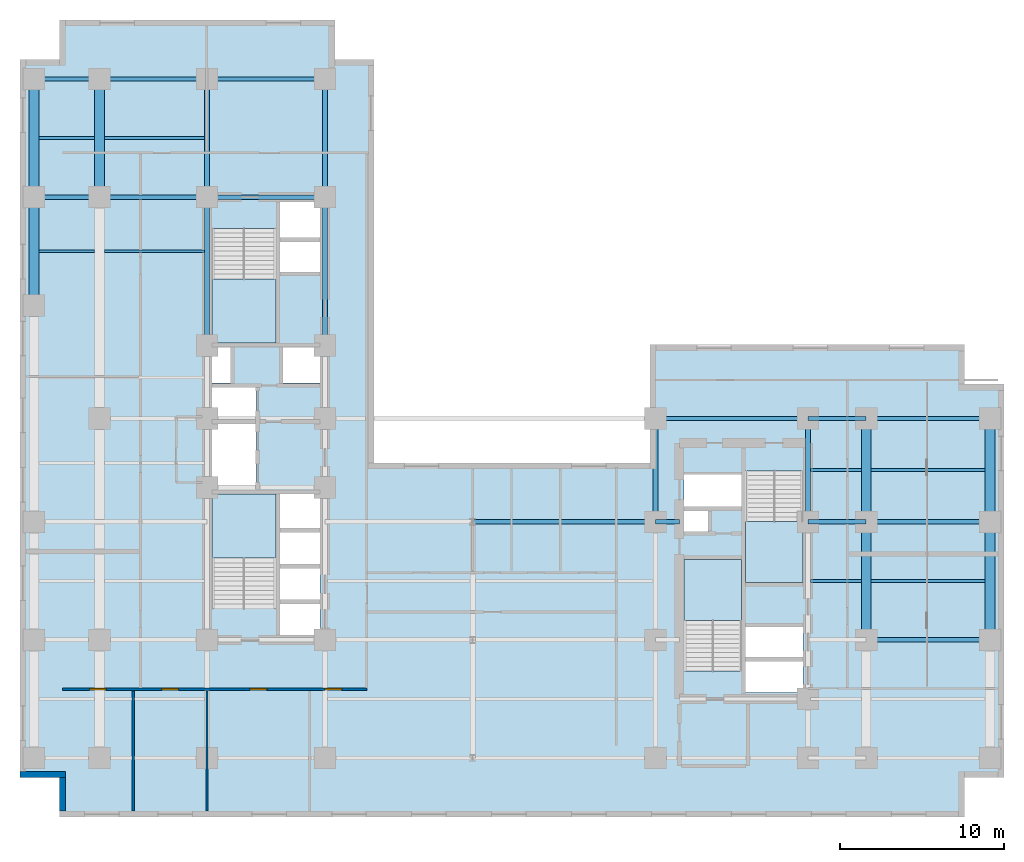
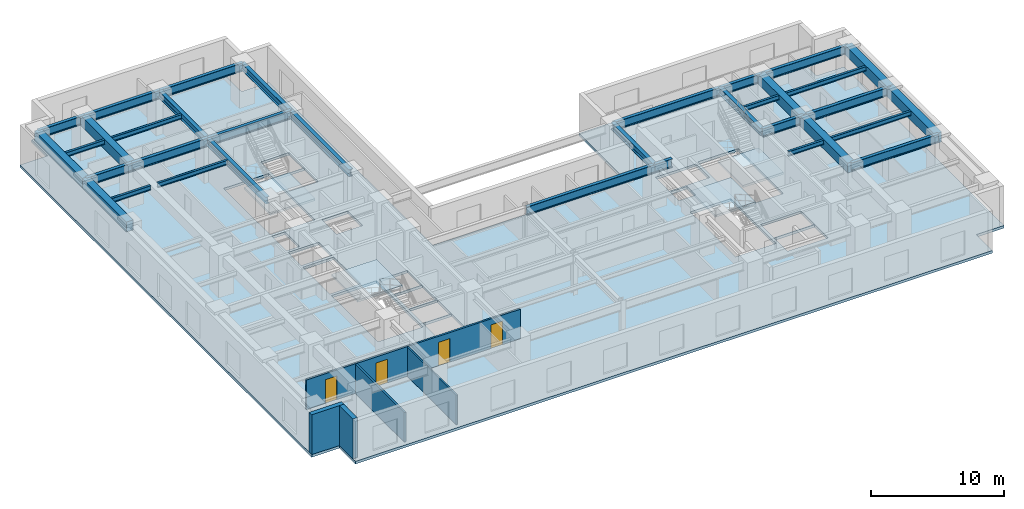
# One storey, part 2 of 9: 35 beams, 5 slabs, 5 walls, 4 doors, 4 openings, 4 elements without a shape of their own.
"""IFC4 building model written with IfcOpenShell, lengths in metres."""

from ifc_helpers import new_model, entity, si_unit, converted_unit, direction, frame, origin_with_axes, origin_2d_with_axis, place, context, subcontext, project, spatial, polyline, rectangle, i_section, outline, extrude, material, layer, layer_set, material_profile, profile_set, type_object, element, fill, aggregate, save


model = new_model("IFC4")

# Units and contexts
model_context = context("Model", 3, precision=1e-05, world=origin_with_axes(), true_north=direction((0.0, 1.0)))
body_context = subcontext(model_context, "Body", "Model", "MODEL_VIEW")
ifc_project = project(units=[si_unit("LENGTHUNIT", "METRE"), si_unit("AREAUNIT", "SQUARE_METRE"), si_unit("VOLUMEUNIT", "CUBIC_METRE"), converted_unit("PLANEANGLEUNIT", "DEGREE", entity("IfcPlaneAngleMeasure", 0.017453292519943295), si_unit("PLANEANGLEUNIT", "RADIAN"), dimensions=[0, 0, 0, 0, 0, 0, 0]), si_unit("MASSUNIT", "GRAM", prefix="KILO"), si_unit("THERMODYNAMICTEMPERATUREUNIT", "KELVIN")], contexts=[model_context])

# Site, building, storey
site_placement = place(None, origin_with_axes())
site = spatial("IfcSite", under=ifc_project, at=site_placement, CompositionType="ELEMENT")
building_placement = place(site_placement, origin_with_axes())
building = spatial("IfcBuilding", under=site, at=building_placement, Name="Varnlund Millrace Tower", CompositionType="ELEMENT")
storey_placement = place(building_placement, frame((0.0, 0.0, 67.8), z_axis=(0.0, 0.0, 1.0), x_axis=(1.0, 0.0, 0.0)))
storey = spatial("IfcBuildingStorey", under=building, at=storey_placement, Name="L16", CompositionType="ELEMENT", Elevation=67.8)

# Beams
ifc_material_1 = material(Name="Steel ASTM A992 Grade 50", Category="steel")
ifc_material_profile_1 = material_profile(ifc_material_1, i_section(OverallWidth=0.328, OverallDepth=0.628, WebThickness=0.0165, FlangeThickness=0.0277, FilletRadius=0.018, at=origin_2d_with_axis()), Name="Steel ASTM A992 Grade 50")
ifc_profile_set_1 = profile_set([ifc_material_profile_1], Name="Steel ASTM A992 Grade 50")
beam_type_1 = type_object("IfcBeamType", Name="Type-Girder-W24X146", PredefinedType="USERDEFINED", material=ifc_profile_set_1)
beam_1_placement = place(storey_placement, frame((11.4, 28.75, 3.346), z_axis=(0.0, 1.0, 0.0), x_axis=(-1.0, 0.0, 0.0)))
element("IfcBeam", 1, at=beam_1_placement, inside=storey, type_object=beam_type_1, Name="Type-Girder-W24X146", ObjectType="GIRDER", PredefinedType="USERDEFINED", context=body_context, shape_type="SweptSolid", body=[
    extrude(i_section(OverallWidth=0.328, OverallDepth=0.628, WebThickness=0.0165, FlangeThickness=0.0277, FilletRadius=0.018, at=origin_2d_with_axis()), origin_with_axes(), (0.0, 0.0, 1.0), 9.05),
])
beam_2_placement = place(storey_placement, frame((11.4, 37.8, 3.346), z_axis=(0.0, 1.0, 0.0), x_axis=(-1.0, 0.0, 0.0)))
element("IfcBeam", 2, at=beam_2_placement, inside=storey, type_object=beam_type_1, Name="Type-Girder-W24X146", ObjectType="GIRDER", PredefinedType="USERDEFINED", context=body_context, shape_type="SweptSolid", body=[
    extrude(i_section(OverallWidth=0.328, OverallDepth=0.628, WebThickness=0.0165, FlangeThickness=0.0277, FilletRadius=0.018, at=origin_2d_with_axis()), origin_with_axes(), (0.0, 0.0, 1.0), 7.2),
])
beam_3_placement = place(storey_placement, frame((18.6, 28.75, 3.346), z_axis=(0.0, 1.0, 0.0), x_axis=(-1.0, 0.0, 0.0)))
element("IfcBeam", 3, at=beam_3_placement, inside=storey, type_object=beam_type_1, Name="Type-Girder-W24X146", ObjectType="GIRDER", PredefinedType="USERDEFINED", context=body_context, shape_type="SweptSolid", body=[
    extrude(i_section(OverallWidth=0.328, OverallDepth=0.628, WebThickness=0.0165, FlangeThickness=0.0277, FilletRadius=0.018, at=origin_2d_with_axis()), origin_with_axes(), (0.0, 0.0, 1.0), 9.05),
])
beam_4_placement = place(storey_placement, frame((18.6, 37.8, 3.346), z_axis=(0.0, 1.0, 0.0), x_axis=(-1.0, 0.0, 0.0)))
element("IfcBeam", 4, at=beam_4_placement, inside=storey, type_object=beam_type_1, Name="Type-Girder-W24X146", ObjectType="GIRDER", PredefinedType="USERDEFINED", context=body_context, shape_type="SweptSolid", body=[
    extrude(i_section(OverallWidth=0.328, OverallDepth=0.628, WebThickness=0.0165, FlangeThickness=0.0277, FilletRadius=0.018, at=origin_2d_with_axis()), origin_with_axes(), (0.0, 0.0, 1.0), 7.2),
])
for number, where, z_axis, x_axis, name in (
    (5, (38.75, 18.0, 3.346), (0.0, 1.0, 0.0), (-1.0, 0.0, 0.0), "Type-Girder-W24X146"),
    (6, (48.05, 18.0, 3.346), (0.0, 1.0, 0.0), (-1.0, 0.0, 0.0), "Type-Girder-W24X146"),
):
    element("IfcBeam", number, at=place(storey_placement, frame(where, z_axis=z_axis, x_axis=x_axis)), inside=storey, type_object=beam_type_1, Name=name, ObjectType="GIRDER", PredefinedType="USERDEFINED", context=body_context, shape_type="SweptSolid", body=[
        extrude(i_section(OverallWidth=0.328, OverallDepth=0.628, WebThickness=0.0165, FlangeThickness=0.0277, FilletRadius=0.018, at=origin_2d_with_axis()), origin_with_axes(), (0.0, 0.0, 1.0), 6.3),
    ])
ifc_material_profile_2 = material_profile(ifc_material_1, i_section(OverallWidth=0.266, OverallDepth=0.779, WebThickness=0.0165, FlangeThickness=0.03, FilletRadius=0.02, at=origin_2d_with_axis()), Name="Steel ASTM A992 Grade 50")
ifc_profile_set_2 = profile_set([ifc_material_profile_2], Name="Steel ASTM A992 Grade 50")
beam_type_2 = type_object("IfcBeamType", Name="Type-Girder-W30X148", PredefinedType="USERDEFINED", material=ifc_profile_set_2)
beam_5_placement = place(storey_placement, frame((51.6, 10.8, 3.2705), z_axis=(1.0, 0.0, 0.0), x_axis=(0.0, 1.0, 0.0)))
element("IfcBeam", 7, at=beam_5_placement, inside=storey, type_object=beam_type_2, Name="Type-Girder-W30X148", ObjectType="GIRDER", PredefinedType="USERDEFINED", context=body_context, shape_type="SweptSolid", body=[
    extrude(i_section(OverallWidth=0.266, OverallDepth=0.779, WebThickness=0.0165, FlangeThickness=0.03, FilletRadius=0.02, at=origin_2d_with_axis()), origin_with_axes(), (0.0, 0.0, 1.0), 7.55),
])
beam_6_placement = place(storey_placement, frame((27.6, 18.0, 3.2705), z_axis=(1.0, 0.0, 0.0), x_axis=(0.0, 1.0, 0.0)))
element("IfcBeam", 8, at=beam_6_placement, inside=storey, type_object=beam_type_2, Name="Type-Girder-W30X148", ObjectType="GIRDER", PredefinedType="USERDEFINED", context=body_context, shape_type="SweptSolid", body=[
    extrude(i_section(OverallWidth=0.266, OverallDepth=0.779, WebThickness=0.0165, FlangeThickness=0.03, FilletRadius=0.02, at=origin_2d_with_axis()), origin_with_axes(), (0.0, 0.0, 1.0), 11.15),
])
beam_7_placement = place(storey_placement, frame((38.75, 18.0, 3.2705), z_axis=(1.0, 0.0, 0.0), x_axis=(0.0, 1.0, 0.0)))
element("IfcBeam", 9, at=beam_7_placement, inside=storey, type_object=beam_type_2, Name="Type-Girder-W30X148", ObjectType="GIRDER", PredefinedType="USERDEFINED", context=body_context, shape_type="SweptSolid", body=[
    extrude(i_section(OverallWidth=0.266, OverallDepth=0.779, WebThickness=0.0165, FlangeThickness=0.03, FilletRadius=0.02, at=origin_2d_with_axis()), origin_with_axes(), (0.0, 0.0, 1.0), 1.45),
])
beam_8_placement = place(storey_placement, frame((48.05, 18.0, 3.2705), z_axis=(1.0, 0.0, 0.0), x_axis=(0.0, 1.0, 0.0)))
element("IfcBeam", 10, at=beam_8_placement, inside=storey, type_object=beam_type_2, Name="Type-Girder-W30X148", ObjectType="GIRDER", PredefinedType="USERDEFINED", context=body_context, shape_type="SweptSolid", body=[
    extrude(i_section(OverallWidth=0.266, OverallDepth=0.779, WebThickness=0.0165, FlangeThickness=0.03, FilletRadius=0.02, at=origin_2d_with_axis()), origin_with_axes(), (0.0, 0.0, 1.0), 3.55),
])
beam_9_placement = place(storey_placement, frame((51.6, 18.0, 3.2705), z_axis=(1.0, 0.0, 0.0), x_axis=(0.0, 1.0, 0.0)))
element("IfcBeam", 11, at=beam_9_placement, inside=storey, type_object=beam_type_2, Name="Type-Girder-W30X148", ObjectType="GIRDER", PredefinedType="USERDEFINED", context=body_context, shape_type="SweptSolid", body=[
    extrude(i_section(OverallWidth=0.266, OverallDepth=0.779, WebThickness=0.0165, FlangeThickness=0.03, FilletRadius=0.02, at=origin_2d_with_axis()), origin_with_axes(), (0.0, 0.0, 1.0), 7.55),
])
beam_10_placement = place(storey_placement, frame((38.75, 24.3, 3.2705), z_axis=(1.0, 0.0, 0.0), x_axis=(0.0, 1.0, 0.0)))
element("IfcBeam", 12, at=beam_10_placement, inside=storey, type_object=beam_type_2, Name="Type-Girder-W30X148", ObjectType="GIRDER", PredefinedType="USERDEFINED", context=body_context, shape_type="SweptSolid", body=[
    extrude(i_section(OverallWidth=0.266, OverallDepth=0.779, WebThickness=0.0165, FlangeThickness=0.03, FilletRadius=0.02, at=origin_2d_with_axis()), origin_with_axes(), (0.0, 0.0, 1.0), 9.3),
])
beam_11_placement = place(storey_placement, frame((48.05, 24.3, 3.2705), z_axis=(1.0, 0.0, 0.0), x_axis=(0.0, 1.0, 0.0)))
element("IfcBeam", 13, at=beam_11_placement, inside=storey, type_object=beam_type_2, Name="Type-Girder-W30X148", ObjectType="GIRDER", PredefinedType="USERDEFINED", context=body_context, shape_type="SweptSolid", body=[
    extrude(i_section(OverallWidth=0.266, OverallDepth=0.779, WebThickness=0.0165, FlangeThickness=0.03, FilletRadius=0.02, at=origin_2d_with_axis()), origin_with_axes(), (0.0, 0.0, 1.0), 3.55),
])
beam_12_placement = place(storey_placement, frame((51.6, 24.3, 3.2705), z_axis=(1.0, 0.0, 0.0), x_axis=(0.0, 1.0, 0.0)))
element("IfcBeam", 14, at=beam_12_placement, inside=storey, type_object=beam_type_2, Name="Type-Girder-W30X148", ObjectType="GIRDER", PredefinedType="USERDEFINED", context=body_context, shape_type="SweptSolid", body=[
    extrude(i_section(OverallWidth=0.266, OverallDepth=0.779, WebThickness=0.0165, FlangeThickness=0.03, FilletRadius=0.02, at=origin_2d_with_axis()), origin_with_axes(), (0.0, 0.0, 1.0), 7.55),
])
beam_13_placement = place(storey_placement, frame((0.85, 37.8, 3.2705), z_axis=(1.0, 0.0, 0.0), x_axis=(0.0, 1.0, 0.0)))
element("IfcBeam", 15, at=beam_13_placement, inside=storey, type_object=beam_type_2, Name="Type-Girder-W30X148", ObjectType="GIRDER", PredefinedType="USERDEFINED", context=body_context, shape_type="SweptSolid", body=[
    extrude(i_section(OverallWidth=0.266, OverallDepth=0.779, WebThickness=0.0165, FlangeThickness=0.03, FilletRadius=0.02, at=origin_2d_with_axis()), origin_with_axes(), (0.0, 0.0, 1.0), 4.0),
])
beam_14_placement = place(storey_placement, frame((4.85, 37.8, 3.2705), z_axis=(1.0, 0.0, 0.0), x_axis=(0.0, 1.0, 0.0)))
element("IfcBeam", 16, at=beam_14_placement, inside=storey, type_object=beam_type_2, Name="Type-Girder-W30X148", ObjectType="GIRDER", PredefinedType="USERDEFINED", context=body_context, shape_type="SweptSolid", body=[
    extrude(i_section(OverallWidth=0.266, OverallDepth=0.779, WebThickness=0.0165, FlangeThickness=0.03, FilletRadius=0.02, at=origin_2d_with_axis()), origin_with_axes(), (0.0, 0.0, 1.0), 6.55),
])
beam_15_placement = place(storey_placement, frame((11.4, 37.8, 3.2705), z_axis=(1.0, 0.0, 0.0), x_axis=(0.0, 1.0, 0.0)))
element("IfcBeam", 17, at=beam_15_placement, inside=storey, type_object=beam_type_2, Name="Type-Girder-W30X148", ObjectType="GIRDER", PredefinedType="USERDEFINED", context=body_context, shape_type="SweptSolid", body=[
    extrude(i_section(OverallWidth=0.266, OverallDepth=0.779, WebThickness=0.0165, FlangeThickness=0.03, FilletRadius=0.02, at=origin_2d_with_axis()), origin_with_axes(), (0.0, 0.0, 1.0), 7.2),
])
beam_16_placement = place(storey_placement, frame((0.85, 45.0, 3.2705), z_axis=(1.0, 0.0, 0.0), x_axis=(0.0, 1.0, 0.0)))
element("IfcBeam", 18, at=beam_16_placement, inside=storey, type_object=beam_type_2, Name="Type-Girder-W30X148", ObjectType="GIRDER", PredefinedType="USERDEFINED", context=body_context, shape_type="SweptSolid", body=[
    extrude(i_section(OverallWidth=0.266, OverallDepth=0.779, WebThickness=0.0165, FlangeThickness=0.03, FilletRadius=0.02, at=origin_2d_with_axis()), origin_with_axes(), (0.0, 0.0, 1.0), 4.0),
])
beam_17_placement = place(storey_placement, frame((4.85, 45.0, 3.2705), z_axis=(1.0, 0.0, 0.0), x_axis=(0.0, 1.0, 0.0)))
element("IfcBeam", 19, at=beam_17_placement, inside=storey, type_object=beam_type_2, Name="Type-Girder-W30X148", ObjectType="GIRDER", PredefinedType="USERDEFINED", context=body_context, shape_type="SweptSolid", body=[
    extrude(i_section(OverallWidth=0.266, OverallDepth=0.779, WebThickness=0.0165, FlangeThickness=0.03, FilletRadius=0.02, at=origin_2d_with_axis()), origin_with_axes(), (0.0, 0.0, 1.0), 6.55),
])
beam_18_placement = place(storey_placement, frame((11.4, 45.0, 3.2705), z_axis=(1.0, 0.0, 0.0), x_axis=(0.0, 1.0, 0.0)))
element("IfcBeam", 20, at=beam_18_placement, inside=storey, type_object=beam_type_2, Name="Type-Girder-W30X148", ObjectType="GIRDER", PredefinedType="USERDEFINED", context=body_context, shape_type="SweptSolid", body=[
    extrude(i_section(OverallWidth=0.266, OverallDepth=0.779, WebThickness=0.0165, FlangeThickness=0.03, FilletRadius=0.02, at=origin_2d_with_axis()), origin_with_axes(), (0.0, 0.0, 1.0), 7.2),
])
ifc_material_profile_3 = material_profile(ifc_material_1, i_section(OverallWidth=0.181, OverallDepth=0.417, WebThickness=0.0109, FlangeThickness=0.0182, FilletRadius=0.013, at=origin_2d_with_axis()), Name="Steel ASTM A992 Grade 50")
ifc_profile_set_3 = profile_set([ifc_material_profile_3], Name="Steel ASTM A992 Grade 50")
beam_type_3 = type_object("IfcBeamType", Name="Type-Joist-W16X57", PredefinedType="JOIST", material=ifc_profile_set_3)
for number, where, z_axis, x_axis, name in (
    (21, (1.15, 34.5, 3.4515), (1.0, 0.0, 0.0), (0.0, 1.0, 0.0), "Type-Joist-W16X57"),
    (22, (1.15, 41.4, 3.4515), (1.0, 0.0, 0.0), (0.0, 1.0, 0.0), "Type-Joist-W16X57"),
):
    element("IfcBeam", number, at=place(storey_placement, frame(where, z_axis=z_axis, x_axis=x_axis)), inside=storey, type_object=beam_type_3, Name=name, PredefinedType="JOIST", context=body_context, shape_type="SweptSolid", body=[
        extrude(i_section(OverallWidth=0.181, OverallDepth=0.417, WebThickness=0.0109, FlangeThickness=0.0182, FilletRadius=0.013, at=origin_2d_with_axis()), origin_with_axes(), (0.0, 0.0, 1.0), 3.4),
    ])
for number, where, z_axis, x_axis, name in (
    (23, (5.15, 34.5, 3.4515), (1.0, 0.0, 0.0), (0.0, 1.0, 0.0), "Type-Joist-W16X57"),
    (24, (5.15, 41.4, 3.4515), (1.0, 0.0, 0.0), (0.0, 1.0, 0.0), "Type-Joist-W16X57"),
):
    element("IfcBeam", number, at=place(storey_placement, frame(where, z_axis=z_axis, x_axis=x_axis)), inside=storey, type_object=beam_type_3, Name=name, PredefinedType="JOIST", context=body_context, shape_type="SweptSolid", body=[
        extrude(i_section(OverallWidth=0.181, OverallDepth=0.417, WebThickness=0.0109, FlangeThickness=0.0182, FilletRadius=0.013, at=origin_2d_with_axis()), origin_with_axes(), (0.0, 0.0, 1.0), 6.086),
    ])
for number, where, z_axis, x_axis, name in (
    (25, (48.214, 14.4, 3.4515), (1.0, 0.0, 0.0), (0.0, 1.0, 0.0), "Type-Joist-W16X57"),
    (26, (48.214, 21.15, 3.4515), (1.0, 0.0, 0.0), (0.0, 1.0, 0.0), "Type-Joist-W16X57"),
):
    element("IfcBeam", number, at=place(storey_placement, frame(where, z_axis=z_axis, x_axis=x_axis)), inside=storey, type_object=beam_type_3, Name=name, PredefinedType="JOIST", context=body_context, shape_type="SweptSolid", body=[
        extrude(i_section(OverallWidth=0.181, OverallDepth=0.417, WebThickness=0.0109, FlangeThickness=0.0182, FilletRadius=0.013, at=origin_2d_with_axis()), origin_with_axes(), (0.0, 0.0, 1.0), 3.086),
    ])
for number, where, z_axis, x_axis, name in (
    (27, (51.9, 14.4, 3.4515), (1.0, 0.0, 0.0), (0.0, 1.0, 0.0), "Type-Joist-W16X57"),
    (28, (51.9, 21.15, 3.4515), (1.0, 0.0, 0.0), (0.0, 1.0, 0.0), "Type-Joist-W16X57"),
):
    element("IfcBeam", number, at=place(storey_placement, frame(where, z_axis=z_axis, x_axis=x_axis)), inside=storey, type_object=beam_type_3, Name=name, PredefinedType="JOIST", context=body_context, shape_type="SweptSolid", body=[
        extrude(i_section(OverallWidth=0.181, OverallDepth=0.417, WebThickness=0.0109, FlangeThickness=0.0182, FilletRadius=0.013, at=origin_2d_with_axis()), origin_with_axes(), (0.0, 0.0, 1.0), 6.95),
    ])
ifc_material_2 = material(Name="Concrete C70/85", Category="concrete")
ifc_material_profile_4 = material_profile(ifc_material_2, rectangle(XDim=0.6, YDim=0.9, at=origin_2d_with_axis()), Name="Concrete C70/85")
ifc_profile_set_4 = profile_set([ifc_material_profile_4], Name="Concrete C70/85")
beam_type_4 = type_object("IfcBeamType", Name="Type-Spandrel-RC600X900", PredefinedType="SPANDREL", material=ifc_profile_set_4)
beam_19_placement = place(storey_placement, frame((0.85, 31.2, 3.21), z_axis=(0.0, 1.0, 0.0), x_axis=(-1.0, 0.0, 0.0)))
element("IfcBeam", 29, at=beam_19_placement, inside=storey, type_object=beam_type_4, Name="Type-Spandrel-RC600X900", PredefinedType="SPANDREL", context=body_context, shape_type="SweptSolid", body=[
    extrude(rectangle(XDim=0.6, YDim=0.9, at=origin_2d_with_axis()), origin_with_axes(), (0.0, 0.0, 1.0), 6.6),
])
for number, where, z_axis, x_axis, name in (
    (30, (0.85, 37.8, 3.21), (0.0, 1.0, 0.0), (-1.0, 0.0, 0.0), "Type-Spandrel-RC600X900"),
    (31, (4.85, 37.8, 3.21), (0.0, 1.0, 0.0), (-1.0, 0.0, 0.0), "Type-Spandrel-RC600X900"),
    (32, (51.6, 10.8, 3.21), (0.0, 1.0, 0.0), (-1.0, 0.0, 0.0), "Type-Spandrel-RC600X900"),
):
    element("IfcBeam", number, at=place(storey_placement, frame(where, z_axis=z_axis, x_axis=x_axis)), inside=storey, type_object=beam_type_4, Name=name, PredefinedType="SPANDREL", context=body_context, shape_type="SweptSolid", body=[
        extrude(rectangle(XDim=0.6, YDim=0.9, at=origin_2d_with_axis()), origin_with_axes(), (0.0, 0.0, 1.0), 7.2),
    ])
beam_20_placement = place(storey_placement, frame((51.6, 18.0, 3.21), z_axis=(0.0, 1.0, 0.0), x_axis=(-1.0, 0.0, 0.0)))
element("IfcBeam", 33, at=beam_20_placement, inside=storey, type_object=beam_type_4, Name="Type-Spandrel-RC600X900", PredefinedType="SPANDREL", context=body_context, shape_type="SweptSolid", body=[
    extrude(rectangle(XDim=0.6, YDim=0.9, at=origin_2d_with_axis()), origin_with_axes(), (0.0, 0.0, 1.0), 6.3),
])
beam_21_placement = place(storey_placement, frame((59.15, 10.8, 3.21), z_axis=(0.0, 1.0, 0.0), x_axis=(-1.0, 0.0, 0.0)))
element("IfcBeam", 34, at=beam_21_placement, inside=storey, type_object=beam_type_4, Name="Type-Spandrel-RC600X900", PredefinedType="SPANDREL", context=body_context, shape_type="SweptSolid", body=[
    extrude(rectangle(XDim=0.6, YDim=0.9, at=origin_2d_with_axis()), origin_with_axes(), (0.0, 0.0, 1.0), 7.2),
])
beam_22_placement = place(storey_placement, frame((59.15, 18.0, 3.21), z_axis=(0.0, 1.0, 0.0), x_axis=(-1.0, 0.0, 0.0)))
element("IfcBeam", 35, at=beam_22_placement, inside=storey, type_object=beam_type_4, Name="Type-Spandrel-RC600X900", PredefinedType="SPANDREL", context=body_context, shape_type="SweptSolid", body=[
    extrude(rectangle(XDim=0.6, YDim=0.9, at=origin_2d_with_axis()), origin_with_axes(), (0.0, 0.0, 1.0), 6.3),
])

# Slab
ifc_material_3 = material(Name="Concrete C60/75", Category="concrete")
ifc_layer_1 = layer(ifc_material_3, 0.24, Name="Concrete C60/75")
ifc_layer_set_1 = layer_set([ifc_layer_1], Name="Concrete C60/75")
slab_type_1 = type_object("IfcSlabType", Name="Type-Deck-Plate-Typical-240", PredefinedType="FLOOR", material=ifc_layer_set_1)
slab_1_placement = place(storey_placement, frame((0.0, 0.0, -0.24), z_axis=(0.0, 0.0, 1.0), x_axis=(1.0, 0.0, 0.0)))
element("IfcSlab", 36, at=slab_1_placement, inside=storey, type_object=slab_type_1, Name="Type-Deck-Plate-Typical-240", PredefinedType="FLOOR", context=body_context, shape_type="SweptSolid", body=[
    extrude(outline(polyline([(21.6, 21.6), (21.6, 46.2), (19.2, 46.2), (19.2, 48.6), (2.4, 48.6), (2.4, 46.2), (0.0, 46.2), (0.0, 2.4), (2.4, 2.4), (2.4, 0.0), (57.6, 0.0), (57.6, 2.4), (60.0, 2.4), (60.0, 26.4), (57.6, 26.4), (57.6, 28.8), (38.4, 28.8), (38.4, 21.6), (21.6, 21.6)]), holes=[polyline([(18.3, 11.1), (15.84, 11.1), (15.84, 13.1), (18.3, 13.1), (18.3, 11.1)]), polyline([(18.3, 13.16), (15.84, 13.16), (15.84, 15.24), (18.3, 15.24), (18.3, 13.16)]), polyline([(15.6, 12.715), (11.7, 12.715), (11.7, 19.7), (15.6, 19.7), (15.6, 12.715)]), polyline([(18.3, 15.34), (15.84, 15.34), (15.84, 17.46), (18.3, 17.46), (18.3, 15.34)]), polyline([(18.3, 17.52), (15.84, 17.52), (15.84, 19.7), (18.3, 19.7), (18.3, 17.52)]), polyline([(14.38, 23.98), (14.38, 19.94), (11.7, 19.94), (11.7, 23.98), (14.38, 23.98)]), polyline([(11.7, 24.24), (11.7, 26.2), (14.38, 26.2), (14.38, 24.24), (11.7, 24.24)]), polyline([(11.7, 26.46), (11.7, 28.65), (12.84, 28.65), (12.84, 26.46), (11.7, 26.46)]), polyline([(15.6, 28.9), (11.7, 28.9), (11.7, 35.885), (15.6, 35.885), (15.6, 28.9)]), polyline([(47.75, 7.6), (44.25, 7.6), (44.25, 9.6), (47.75, 9.6), (47.75, 7.6)]), polyline([(47.75, 9.66), (44.25, 9.66), (44.25, 11.68), (47.75, 11.68), (47.75, 9.66)]), polyline([(40.5, 8.915), (40.5, 15.7), (44.0, 15.7), (44.0, 8.915), (40.5, 8.915)]), polyline([(44.25, 14.3), (44.25, 21.085), (47.75, 21.085), (47.75, 14.3), (44.25, 14.3)]), polyline([(41.95, 17.42), (40.5, 17.42), (40.5, 18.72), (41.95, 18.72), (41.95, 17.42)]), polyline([(44.0, 18.88), (40.5, 18.88), (40.5, 20.94), (44.0, 20.94), (44.0, 18.88)]), polyline([(18.3, 26.46), (16.04, 26.46), (16.04, 28.65), (18.3, 28.65), (18.3, 26.46)]), polyline([(15.84, 33.12), (15.84, 35.18), (18.3, 35.18), (18.3, 33.12), (15.84, 33.12)]), polyline([(15.84, 35.22), (15.84, 37.5), (18.3, 37.5), (18.3, 35.22), (15.84, 35.22)])]), origin_with_axes(), (0.0, 0.0, 1.0), 0.24),
])

# Stair, slab
ifc_material_4 = material(Name="Concrete C50/60", Category="concrete")
stair_type_1 = type_object("IfcStairType", Name="Type-Stair-Dogleg-185-390", PredefinedType="HALF_TURN_STAIR", material=ifc_material_4)
stair_1_placement = place(storey_placement, origin_with_axes())
stair_1 = element("IfcStair", 37, at=stair_1_placement, inside=storey, type_object=stair_type_1, Name="Type-Stair-Dogleg-185-390", PredefinedType="HALF_TURN_STAIR")
ifc_layer_2 = layer(ifc_material_4, 0.2, Name="Concrete C50/60")
ifc_layer_set_2 = layer_set([ifc_layer_2], Name="Concrete C50/60")
slab_type_2 = type_object("IfcSlabType", Name="Type-StairLanding-200", PredefinedType="LANDING", material=ifc_layer_set_2)
slab_2_placement = place(storey_placement, frame((0.0, 0.0, 1.75), z_axis=(0.0, 0.0, 1.0), x_axis=(1.0, 0.0, 0.0)))
slab_2 = element("IfcSlab", 38, at=slab_2_placement, type_object=slab_type_2, Name="ST-A1 landing 1", PredefinedType="LANDING", context=body_context, shape_type="SweptSolid", body=[
    extrude(outline(polyline([(15.6, 15.78), (15.6, 19.7), (11.7, 19.7), (11.7, 15.78), (15.6, 15.78)])), origin_with_axes(), (0.0, 0.0, 1.0), 0.2),
])
aggregate(stair_1, [slab_2])

stair_2_placement = place(storey_placement, origin_with_axes())
stair_2 = element("IfcStair", 39, at=stair_2_placement, inside=storey, type_object=stair_type_1, Name="Type-Stair-Dogleg-185-390", PredefinedType="HALF_TURN_STAIR")
slab_3_placement = place(storey_placement, frame((0.0, 0.0, 1.75), z_axis=(0.0, 0.0, 1.0), x_axis=(1.0, 0.0, 0.0)))
slab_3 = element("IfcSlab", 40, at=slab_3_placement, type_object=slab_type_2, Name="ST-A2 landing 1", PredefinedType="LANDING", context=body_context, shape_type="SweptSolid", body=[
    extrude(outline(polyline([(11.7, 32.82), (11.7, 28.9), (15.6, 28.9), (15.6, 32.82), (11.7, 32.82)])), origin_with_axes(), (0.0, 0.0, 1.0), 0.2),
])
aggregate(stair_2, [slab_3])

stair_type_2 = type_object("IfcStairType", Name="Type-Stair-Dogleg-165-390", PredefinedType="HALF_TURN_STAIR", material=ifc_material_4)
stair_3_placement = place(storey_placement, origin_with_axes())
stair_3 = element("IfcStair", 41, at=stair_3_placement, inside=storey, type_object=stair_type_2, Name="Type-Stair-Dogleg-165-390", PredefinedType="HALF_TURN_STAIR")
slab_4_placement = place(storey_placement, frame((0.0, 0.0, 1.75), z_axis=(0.0, 0.0, 1.0), x_axis=(1.0, 0.0, 0.0)))
slab_4 = element("IfcSlab", 42, at=slab_4_placement, type_object=slab_type_2, Name="ST-B1 landing 1", PredefinedType="LANDING", context=body_context, shape_type="SweptSolid", body=[
    extrude(outline(polyline([(44.0, 11.98), (44.0, 15.7), (40.5, 15.7), (40.5, 11.98), (44.0, 11.98)])), origin_with_axes(), (0.0, 0.0, 1.0), 0.2),
])
aggregate(stair_3, [slab_4])

stair_4_placement = place(storey_placement, origin_with_axes())
stair_4 = element("IfcStair", 43, at=stair_4_placement, inside=storey, type_object=stair_type_2, Name="Type-Stair-Dogleg-165-390", PredefinedType="HALF_TURN_STAIR")
slab_5_placement = place(storey_placement, frame((0.0, 0.0, 1.75), z_axis=(0.0, 0.0, 1.0), x_axis=(1.0, 0.0, 0.0)))
slab_5 = element("IfcSlab", 44, at=slab_5_placement, type_object=slab_type_2, Name="ST-B2 landing 1", PredefinedType="LANDING", context=body_context, shape_type="SweptSolid", body=[
    extrude(outline(polyline([(44.25, 18.02), (44.25, 14.3), (47.75, 14.3), (47.75, 18.02), (44.25, 18.02)])), origin_with_axes(), (0.0, 0.0, 1.0), 0.2),
])
aggregate(stair_4, [slab_5])

# Walls
ifc_material_5 = material(Name="Precast concrete C50/60", Category="concrete")
ifc_layer_3 = layer(ifc_material_5, 0.38, Name="Precast concrete C50/60")
ifc_layer_set_3 = layer_set([ifc_layer_3], Name="Precast concrete C50/60")
wall_type_1 = type_object("IfcWallType", Name="Type-ExtWall-Precast-Tube-380", PredefinedType="SOLIDWALL", material=ifc_layer_set_3)
wall_1_placement = place(storey_placement, frame((2.59, 0.38, 0.0), z_axis=(0.0, 0.0, 1.0), x_axis=(0.0, 1.0, 0.0)))
element("IfcWall", 45, at=wall_1_placement, inside=storey, type_object=wall_type_1, Name="Type-ExtWall-Precast-Tube-380", PredefinedType="SOLIDWALL", context=body_context, shape_type="SweptSolid", body=[
    extrude(outline(polyline([(0.0, -0.19), (2.02, -0.19), (2.02, 0.19), (0.0, 0.19), (0.0, -0.19)])), origin_with_axes(), (0.0, 0.0, 1.0), 3.66),
])
wall_2_placement = place(storey_placement, frame((2.78, 2.59, 0.0), z_axis=(0.0, 0.0, 1.0), x_axis=(-1.0, 0.0, 0.0)))
element("IfcWall", 46, at=wall_2_placement, inside=storey, type_object=wall_type_1, Name="Type-ExtWall-Precast-Tube-380", PredefinedType="SOLIDWALL", context=body_context, shape_type="SweptSolid", body=[
    extrude(outline(polyline([(0.0, -0.19), (2.78, -0.19), (2.78, 0.19), (0.0, 0.19), (0.0, -0.19)])), origin_with_axes(), (0.0, 0.0, 1.0), 3.66),
])

# Wall, openings, doors
ifc_material_6 = material(Name="Fire-rated gypsum board on cold-formed steel framing", Category="steel")
ifc_layer_4 = layer(ifc_material_6, 0.16, Name="Fire-rated gypsum board on cold-formed steel framing")
ifc_layer_set_4 = layer_set([ifc_layer_4], Name="Fire-rated gypsum board on cold-formed steel framing")
wall_type_2 = type_object("IfcWallType", Name="Type-Partition-Corridor-160", PredefinedType="PARTITIONING", material=ifc_layer_set_4)
wall_3_placement = place(storey_placement, frame((2.6, 7.8, 0.0), z_axis=(0.0, 0.0, 1.0), x_axis=(1.0, 0.0, 0.0)))
wall_3 = element("IfcWall", 47, at=wall_3_placement, inside=storey, type_object=wall_type_2, Name="Type-Partition-Corridor-160", PredefinedType="PARTITIONING", context=body_context, shape_type="SweptSolid", body=[
    extrude(outline(polyline([(0.0, -0.08), (18.55, -0.08), (18.55, 0.08), (0.0, 0.08), (0.0, -0.08)])), origin_with_axes(), (0.0, 0.0, 1.0), 2.7),
])
opening_1_placement = place(wall_3_placement, frame((2.149, 0.0, 0.0), z_axis=(0.0, 0.0, 1.0), x_axis=(1.0, 0.0, 0.0)))
opening_1 = element("IfcOpeningElement", 48, at=opening_1_placement, cuts=wall_3, Name="Opening L16:DR-WAS-01", PredefinedType="OPENING", context=body_context, shape_type="SweptSolid", body=[
    extrude(rectangle(XDim=1.0, YDim=0.18, at=origin_2d_with_axis()), origin_with_axes(), (0.0, 0.0, 1.0), 2.15),
])
opening_2_placement = place(wall_3_placement, frame((6.554, 0.0, 0.0), z_axis=(0.0, 0.0, 1.0), x_axis=(1.0, 0.0, 0.0)))
opening_2 = element("IfcOpeningElement", 49, at=opening_2_placement, cuts=wall_3, Name="Opening L16:DR-WAS-02", PredefinedType="OPENING", context=body_context, shape_type="SweptSolid", body=[
    extrude(rectangle(XDim=1.0, YDim=0.18, at=origin_2d_with_axis()), origin_with_axes(), (0.0, 0.0, 1.0), 2.15),
])
opening_3_placement = place(wall_3_placement, frame((11.937, 0.0, 0.0), z_axis=(0.0, 0.0, 1.0), x_axis=(1.0, 0.0, 0.0)))
opening_3 = element("IfcOpeningElement", 50, at=opening_3_placement, cuts=wall_3, Name="Opening L16:DR-WAS-03", PredefinedType="OPENING", context=body_context, shape_type="SweptSolid", body=[
    extrude(rectangle(XDim=1.0, YDim=0.18, at=origin_2d_with_axis()), origin_with_axes(), (0.0, 0.0, 1.0), 2.15),
])
opening_4_placement = place(wall_3_placement, frame((16.507, 0.0, 0.0), z_axis=(0.0, 0.0, 1.0), x_axis=(1.0, 0.0, 0.0)))
opening_4 = element("IfcOpeningElement", 51, at=opening_4_placement, cuts=wall_3, Name="Opening L16:DR-WAS-04", PredefinedType="OPENING", context=body_context, shape_type="SweptSolid", body=[
    extrude(rectangle(XDim=1.0, YDim=0.18, at=origin_2d_with_axis()), origin_with_axes(), (0.0, 0.0, 1.0), 2.15),
])
ifc_material_7 = material(Name="Solid-core white oak and bronze frame door")
door_type = type_object("IfcDoorType", Name="Type-IntDoor-Office-1000X2150", OperationType="NOTDEFINED", PredefinedType="DOOR", material=ifc_material_7)
door_1_placement = place(wall_3_placement, frame((2.149, 0.0, 0.0), z_axis=(0.0, 0.0, 1.0), x_axis=(1.0, 0.0, 0.0)))
door_1 = element("IfcDoor", 52, at=door_1_placement, inside=storey, type_object=door_type, Name="Type-IntDoor-Office-1000X2150", OperationType="SINGLE_SWING_LEFT", OverallHeight=2.15, OverallWidth=1.0, PredefinedType="DOOR", context=body_context, shape_type="SweptSolid", body=[
    extrude(rectangle(XDim=1.0, YDim=0.09, at=origin_2d_with_axis()), origin_with_axes(), (0.0, 0.0, 1.0), 2.15),
])
fill(opening_1, door_1)
door_2_placement = place(wall_3_placement, frame((6.554, 0.0, 0.0), z_axis=(0.0, 0.0, 1.0), x_axis=(1.0, 0.0, 0.0)))
door_2 = element("IfcDoor", 53, at=door_2_placement, inside=storey, type_object=door_type, Name="Type-IntDoor-Office-1000X2150", OperationType="SINGLE_SWING_RIGHT", OverallHeight=2.15, OverallWidth=1.0, PredefinedType="DOOR", context=body_context, shape_type="SweptSolid", body=[
    extrude(rectangle(XDim=1.0, YDim=0.09, at=origin_2d_with_axis()), origin_with_axes(), (0.0, 0.0, 1.0), 2.15),
])
fill(opening_2, door_2)
door_3_placement = place(wall_3_placement, frame((11.937, 0.0, 0.0), z_axis=(0.0, 0.0, 1.0), x_axis=(1.0, 0.0, 0.0)))
door_3 = element("IfcDoor", 54, at=door_3_placement, inside=storey, type_object=door_type, Name="Type-IntDoor-Office-1000X2150", OperationType="SINGLE_SWING_LEFT", OverallHeight=2.15, OverallWidth=1.0, PredefinedType="DOOR", context=body_context, shape_type="SweptSolid", body=[
    extrude(rectangle(XDim=1.0, YDim=0.09, at=origin_2d_with_axis()), origin_with_axes(), (0.0, 0.0, 1.0), 2.15),
])
fill(opening_3, door_3)
door_4_placement = place(wall_3_placement, frame((16.507, 0.0, 0.0), z_axis=(0.0, 0.0, 1.0), x_axis=(1.0, 0.0, 0.0)))
door_4 = element("IfcDoor", 55, at=door_4_placement, inside=storey, type_object=door_type, Name="Type-IntDoor-Office-1000X2150", OperationType="SINGLE_SWING_RIGHT", OverallHeight=2.15, OverallWidth=1.0, PredefinedType="DOOR", context=body_context, shape_type="SweptSolid", body=[
    extrude(rectangle(XDim=1.0, YDim=0.09, at=origin_2d_with_axis()), origin_with_axes(), (0.0, 0.0, 1.0), 2.15),
])
fill(opening_4, door_4)

# Walls
ifc_material_8 = material(Name="Acoustic STC-50 gypsum board partition", Category="gypsum")
ifc_layer_5 = layer(ifc_material_8, 0.15, Name="Acoustic STC-50 gypsum board partition")
ifc_layer_set_5 = layer_set([ifc_layer_5], Name="Acoustic STC-50 gypsum board partition")
wall_type_3 = type_object("IfcWallType", Name="Type-Partition-Demising-150", PredefinedType="PARTITIONING", material=ifc_layer_set_5)
wall_4_placement = place(storey_placement, frame((6.908, 0.36, 0.0), z_axis=(0.0, 0.0, 1.0), x_axis=(0.0, 1.0, 0.0)))
element("IfcWall", 56, at=wall_4_placement, inside=storey, type_object=wall_type_3, Name="Type-Partition-Demising-150", PredefinedType="PARTITIONING", context=body_context, shape_type="SweptSolid", body=[
    extrude(outline(polyline([(0.0, -0.075), (7.34, -0.075), (7.34, 0.075), (0.0, 0.075), (0.0, -0.075)])), origin_with_axes(), (0.0, 0.0, 1.0), 2.7),
])
ifc_material_9 = material(Name="Gypsum board tenant partition", Category="gypsum")
ifc_layer_6 = layer(ifc_material_9, 0.125, Name="Gypsum board tenant partition")
ifc_layer_set_6 = layer_set([ifc_layer_6], Name="Gypsum board tenant partition")
wall_type_4 = type_object("IfcWallType", Name="Type-Partition-Tenant-125", PredefinedType="PARTITIONING", material=ifc_layer_set_6)
wall_5_placement = place(storey_placement, frame((11.4, 0.36, 0.0), z_axis=(0.0, 0.0, 1.0), x_axis=(0.0, 1.0, 0.0)))
element("IfcWall", 57, at=wall_5_placement, inside=storey, type_object=wall_type_4, Name="Type-Partition-Tenant-125", PredefinedType="PARTITIONING", context=body_context, shape_type="SweptSolid", body=[
    extrude(outline(polyline([(0.0, -0.0625), (7.34, -0.0625), (7.34, 0.0625), (0.0, 0.0625), (0.0, -0.0625)])), origin_with_axes(), (0.0, 0.0, 1.0), 2.7),
])

save(model, "model.ifc")
